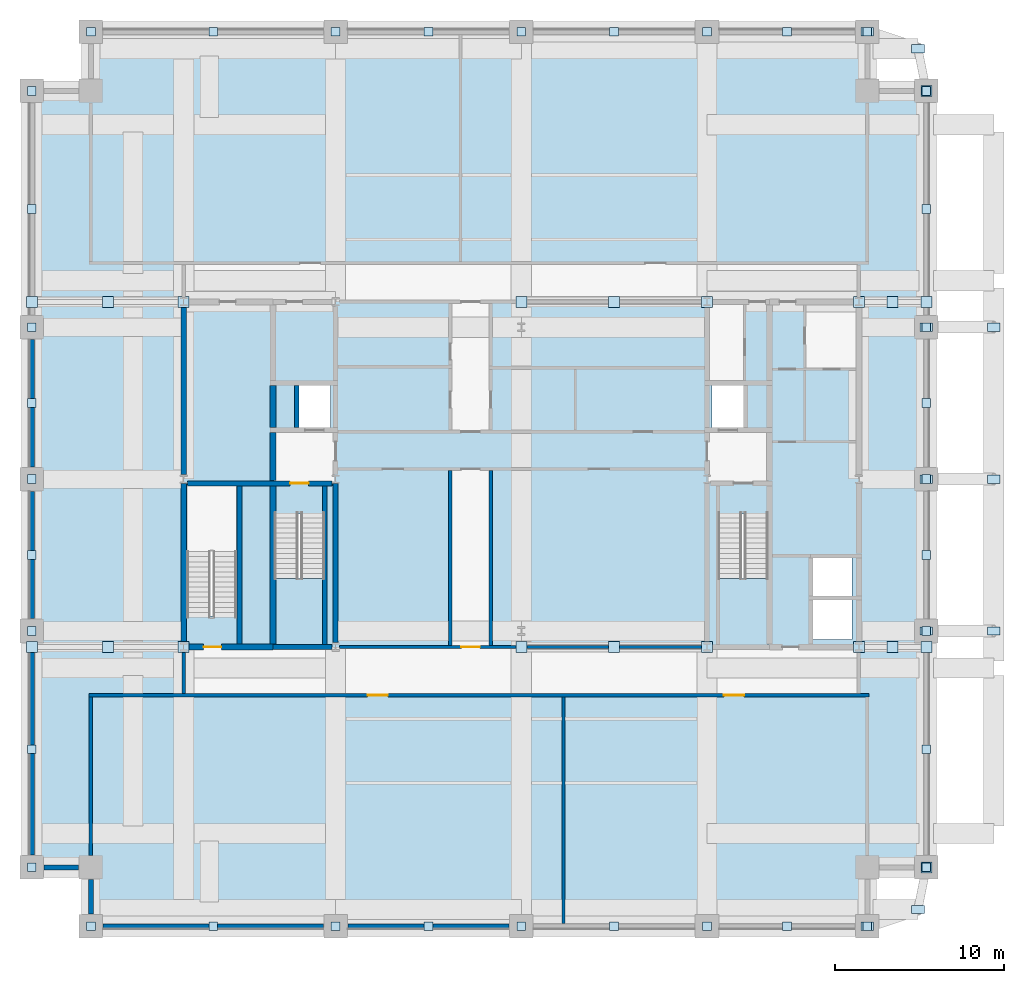
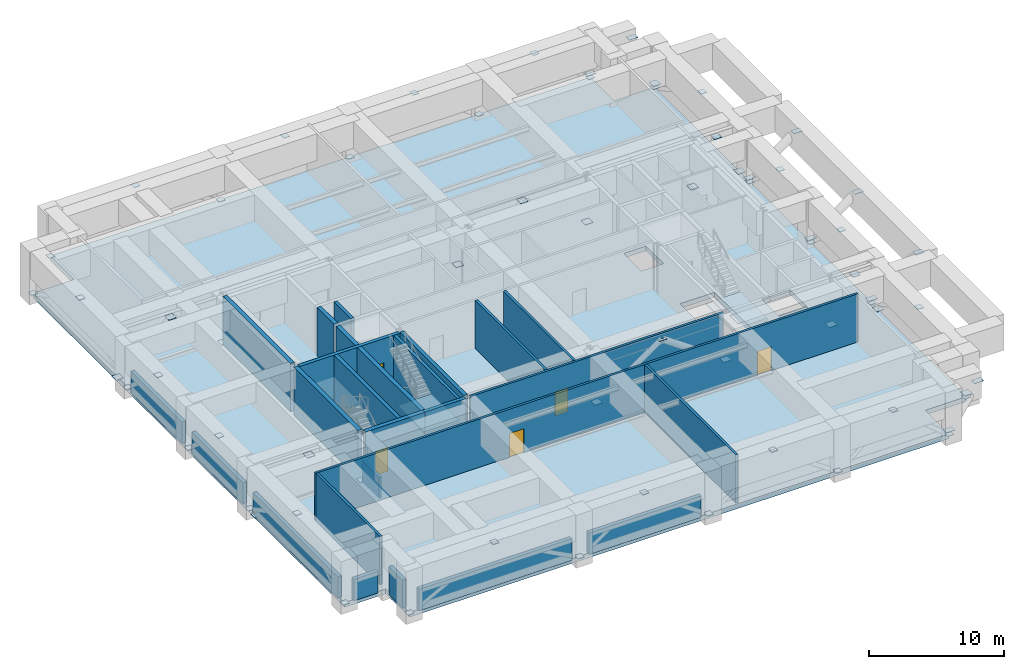
# One storey, part 3 of 10: 66 plates, 26 walls, 5 doors, 3 slabs, 5 openings, 2 elements without a shape of their own.
"""IFC4 building model written with IfcOpenShell, lengths in metres."""

import ifcopenshell
import ifcopenshell.guid

model = None  # the IFC model being written
_history = None  # IfcOwnerHistory: only IFC2X3 demands one
_inside = {}  # id of a spatial element -> (the spatial element, [elements in it])
_under = {}  # id of a project, library or spatial element -> (it, [spatial elements below it])
_declared = {}  # id of a project -> (the project, [libraries it declares])
_typed = {}  # id of a type object -> (the type object, [elements of that type])
_made_of = {}  # id of a material, layer set ... -> (it, [elements and type objects made of it])


def new_model(schema):
    """Start an empty IFC model of exactly this schema.

    Asked for "IFC4X3", IfcOpenShell would pick the latest addendum, in which some entities
    have other attributes; the version numbers below select the first issue.
    IFC2X3 requires an IfcOwnerHistory on every rooted entity: one is made here for all.
    """
    global model, _history
    if schema == "IFC4X3":
        model = ifcopenshell.file(schema_version=(4, 3, 0, 0))
    else:
        model = ifcopenshell.file(schema=schema)
    _inside.clear()
    _under.clear()
    _declared.clear()
    _typed.clear()
    _made_of.clear()
    _history = None
    if model.schema == "IFC2X3":
        org = make("IfcOrganization", Name="unknown")
        user = make(
            "IfcPersonAndOrganization",
            ThePerson=make("IfcPerson", FamilyName="unknown"),
            TheOrganization=org,
        )
        app = make(
            "IfcApplication",
            ApplicationDeveloper=org,
            Version="unknown",
            ApplicationFullName="unknown",
            ApplicationIdentifier="unknown",
        )
        _history = make(
            "IfcOwnerHistory",
            OwningUser=user,
            OwningApplication=app,
            ChangeAction="ADDED",
            CreationDate=0,
        )
    return model


def make(cls, **values):
    """One entity of the class cls with the attributes given. An attribute that is None is left unset."""
    return model.create_entity(
        cls, **{name: value for name, value in values.items() if value is not None}
    )


def rooted(cls, **values):
    """An entity with a GlobalId (a new one), such as an element, a storey or a relation."""
    return make(cls, GlobalId=ifcopenshell.guid.new(), OwnerHistory=_history, **values)


def si_unit(unit_type, name, prefix=None):
    """IfcSIUnit, for example si_unit("LENGTHUNIT", "METRE", prefix="MILLI")."""
    return make("IfcSIUnit", UnitType=unit_type, Prefix=prefix, Name=name)


def assignment(units):
    """IfcUnitAssignment: the units of a project."""
    return None if units is None else make("IfcUnitAssignment", Units=units)


def point(xyz):
    """IfcCartesianPoint."""
    return None if xyz is None else make("IfcCartesianPoint", Coordinates=xyz)


def direction(xyz):
    """IfcDirection."""
    return None if xyz is None else make("IfcDirection", DirectionRatios=xyz)


def frame(location, z_axis=None, x_axis=None):
    """IfcAxis2Placement3D, a coordinate frame: its origin and axes. An axis left out is left unset."""
    return make(
        "IfcAxis2Placement3D",
        Location=point(location),
        Axis=direction(z_axis),
        RefDirection=direction(x_axis),
    )


def frame_2d(location, x_axis=None):
    """IfcAxis2Placement2D, a coordinate frame in the plane: its origin and x axis."""
    return make(
        "IfcAxis2Placement2D", Location=point(location), RefDirection=direction(x_axis)
    )


def origin():
    """The frame at (0, 0, 0) with its axes left unset."""
    return frame((0.0, 0.0, 0.0))


def origin_2d():
    """The frame at (0, 0) in the plane with its x axis left unset."""
    return frame_2d((0.0, 0.0))


def place(relative_to, where):
    """IfcLocalPlacement: puts the frame where relative to a parent placement (None: the world)."""
    return make(
        "IfcLocalPlacement", PlacementRelTo=relative_to, RelativePlacement=where
    )


def context(
    kind, dimensions, precision=None, world=None, true_north=None, identifier=None
):
    """IfcGeometricRepresentationContext, for example the 3D "Model" context."""
    return make(
        "IfcGeometricRepresentationContext",
        ContextIdentifier=identifier,
        ContextType=kind,
        CoordinateSpaceDimension=dimensions,
        Precision=precision,
        WorldCoordinateSystem=world,
        TrueNorth=true_north,
    )


def subcontext(parent, identifier, kind, view, scale=None):
    """IfcGeometricRepresentationSubContext, for example "Body" below "Model"."""
    return make(
        "IfcGeometricRepresentationSubContext",
        ContextIdentifier=identifier,
        ContextType=kind,
        ParentContext=parent,
        TargetScale=scale,
        TargetView=view,
    )


def project(units=None, contexts=None):
    """IfcProject with its units and contexts."""
    return rooted(
        "IfcProject",
        Name="project",
        RepresentationContexts=contexts,
        UnitsInContext=assignment(units),
    )


def spatial(cls, under=None, at=None, **own):
    """A site, building, storey or space (cls), placed at a placement, below another one or the project."""
    s = rooted(cls, ObjectPlacement=at, **own)
    if under is not None:
        _under.setdefault(under.id(), (under, []))[1].append(s)
    return s


def polyline(points):
    """IfcPolyline through the points."""
    return make("IfcPolyline", Points=[point(p) for p in points])


def profile(cls, at=None, kind="AREA", **sizes):
    """A parametric profile (cls). Its sizes go by their IFC names, for example OverallWidth=200.0."""
    return make(cls, ProfileType=kind, Position=at, **sizes)


def rectangle(**sizes):
    """IfcRectangleProfileDef."""
    return profile("IfcRectangleProfileDef", **sizes)


def outline(outer, holes=None, kind="AREA"):
    """IfcArbitraryClosedProfileDef: a profile drawn as a closed curve; with holes, ...WithVoids."""
    if holes is None:
        return make("IfcArbitraryClosedProfileDef", ProfileType=kind, OuterCurve=outer)
    return make(
        "IfcArbitraryProfileDefWithVoids",
        ProfileType=kind,
        OuterCurve=outer,
        InnerCurves=holes,
    )


def extrude(swept, where, along, depth):
    """IfcExtrudedAreaSolid: the profile swept, set in the frame where, extruded along a direction by depth."""
    return make(
        "IfcExtrudedAreaSolid",
        SweptArea=swept,
        Position=where,
        ExtrudedDirection=direction(along),
        Depth=depth,
    )


def shape(context_of_items, identifier, shape_type, items):
    """IfcShapeRepresentation: the items that make up one representation, for example the "Body"."""
    return make(
        "IfcShapeRepresentation",
        ContextOfItems=context_of_items,
        RepresentationIdentifier=identifier,
        RepresentationType=shape_type,
        Items=items,
    )


def material(Name=None, Category=None):
    """IfcMaterial."""
    return make("IfcMaterial", Name=Name, Category=Category)


def layer(
    of_material, thickness, ventilated=None, Name=None, Category=None, Priority=None
):
    """IfcMaterialLayer: one layer of a wall or slab, of a material (None: an air gap)."""
    return make(
        "IfcMaterialLayer",
        Material=of_material,
        LayerThickness=thickness,
        IsVentilated=ventilated,
        Name=Name,
        Category=Category,
        Priority=Priority,
    )


def layer_set(layers, Name=None):
    """IfcMaterialLayerSet."""
    return make("IfcMaterialLayerSet", MaterialLayers=layers, LayerSetName=Name)


def made_of(thing, what):
    """Note that an element or type object is made of a material, layer set ...; save() writes the relation."""
    if what is not None:
        _made_of.setdefault(what.id(), (what, []))[1].append(thing)
    return thing


def type_object(cls, material=None, **own):
    """A type object (cls), such as IfcWallType, which elements share."""
    return made_of(rooted(cls, **own), material)


def element(
    cls,
    number,
    at=None,
    inside=None,
    cuts=None,
    type_object=None,
    material=None,
    context=None,
    identifier="Body",
    shape_type=None,
    held_by="IfcProductDefinitionShape",
    body=None,
    shapes=None,
    **own,
):
    """One element of the class cls, such as IfcWall. Its Tag is "e" and its number.

    at: its placement. inside: the storey or other place that contains it. cuts: it is an
    opening in that element (IfcRelVoidsElement). A single representation is given by context,
    identifier, shape_type and body (its items); several are given by shapes. held_by: the class
    of the entity that holds the representations. save() writes the other relations.
    """
    e = rooted(cls, Tag="e%d" % number, ObjectPlacement=at, **own)
    if body is not None:
        shapes = [shape(context, identifier, shape_type, body)]
    if shapes is not None:
        e.Representation = make(held_by, Representations=shapes)
    if inside is not None:
        _inside.setdefault(inside.id(), (inside, []))[1].append(e)
    if cuts is not None:
        rooted(
            "IfcRelVoidsElement", RelatingBuildingElement=cuts, RelatedOpeningElement=e
        )
    if type_object is not None:
        _typed.setdefault(type_object.id(), (type_object, []))[1].append(e)
    return made_of(e, material)


def fill(opening, filler):
    """IfcRelFillsElement: the door or window that sits in an opening."""
    return rooted(
        "IfcRelFillsElement",
        RelatingOpeningElement=opening,
        RelatedBuildingElement=filler,
    )


def aggregate(whole, parts):
    """IfcRelAggregates: a whole, such as a stair, and the parts it consists of."""
    return rooted("IfcRelAggregates", RelatingObject=whole, RelatedObjects=parts)


def save(model, path):
    """Write the relations noted so far, then the file.

    IfcRelAggregates (storeys below a building ...), IfcRelContainedInSpatialStructure (elements
    in a storey), IfcRelDefinesByType, IfcRelAssociatesMaterial and IfcRelDeclares: one each for
    every whole, place, type object, material and project.
    """
    for whole, parts in _under.values():
        aggregate(whole, parts)
    for where, things in _inside.values():
        rooted(
            "IfcRelContainedInSpatialStructure",
            RelatedElements=things,
            RelatingStructure=where,
        )
    for kind, things in _typed.values():
        rooted("IfcRelDefinesByType", RelatedObjects=things, RelatingType=kind)
    for what, things in _made_of.values():
        rooted("IfcRelAssociatesMaterial", RelatedObjects=things, RelatingMaterial=what)
    for by, libraries in _declared.values():
        rooted("IfcRelDeclares", RelatingContext=by, RelatedDefinitions=libraries)
    model.write(path)


model = new_model("IFC4")

# Units and contexts
model_context = context("Model", 3, precision=1e-05, world=origin(), true_north=direction((0.0, 1.0)))
body_context = subcontext(model_context, "Body", "Model", "MODEL_VIEW")
ifc_project = project(units=[si_unit("LENGTHUNIT", "METRE"), si_unit("AREAUNIT", "SQUARE_METRE"), si_unit("VOLUMEUNIT", "CUBIC_METRE"), si_unit("PLANEANGLEUNIT", "RADIAN"), si_unit("MASSUNIT", "GRAM", prefix="KILO")], contexts=[model_context])

# Site, building, storey
site_placement = place(None, origin())
site = spatial("IfcSite", under=ifc_project, at=site_placement, CompositionType="ELEMENT")
building_placement = place(site_placement, origin())
building = spatial("IfcBuilding", under=site, at=building_placement, Name="Zulmaris Gate Convention Tower", CompositionType="ELEMENT")
storey_placement = place(building_placement, frame((0.0, 0.0, 82.179931640625)))
storey = spatial("IfcBuildingStorey", under=building, at=storey_placement, Name="L20", CompositionType="ELEMENT", Elevation=82.179931640625)

# Plates
ifc_material_1 = material(Name="Steel S460", Category="steel")
ifc_layer_1 = layer(ifc_material_1, 0.030029296875, Name="Steel S460")
ifc_layer_set_1 = layer_set([ifc_layer_1], Name="Steel S460")
plate_type_1 = type_object("IfcPlateType", Name="NP-CAP-520", PredefinedType="USERDEFINED", material=ifc_layer_set_1)
for number, where, z_axis, x_axis, name in (
    (1, (-25.5, -26.5, -0.01513671875), (0.0, 0.0, 1.0), (1.0, 0.0, 0.0), "L20 Steel Node Plate BELT-L20-01-1-FP"),
    (2, (-18.25, -26.5, 3.81982421875), (0.0, 0.0, 1.0), (1.0, 0.0, 0.0), "L20 Steel Node Plate BELT-L20-01-1-FPB"),
    (3, (-11.0, -26.5, -0.01513671875), (0.0, 0.0, 1.0), (1.0, 0.0, 0.0), "L20 Steel Node Plate BELT-L20-01-2-FPB"),
    (4, (-5.5, -26.5, 3.81982421875), (0.0, 0.0, 1.0), (1.0, 0.0, 0.0), "L20 Steel Node Plate BELT-L20-02-1-FPB"),
    (5, (0.0, -26.5, -0.01513671875), (0.0, 0.0, 1.0), (1.0, 0.0, 0.0), "L20 Steel Node Plate BELT-L20-02-2-FPB"),
    (6, (5.5, -26.5, 3.81982421875), (0.0, 0.0, 1.0), (1.0, 0.0, 0.0), "L20 Steel Node Plate BELT-L20-03-1-FPB"),
    (7, (11.0, -26.5, -0.01513671875), (0.0, 0.0, 1.0), (1.0, 0.0, 0.0), "L20 Steel Node Plate BELT-L20-03-2-FPB"),
    (8, (15.75, -26.5, 3.81982421875), (0.0, 0.0, 1.0), (1.0, 0.0, 0.0), "L20 Steel Node Plate BELT-L20-04-1-FPB"),
    (9, (20.5, -26.5, -0.01513671875), (0.0, 0.0, 1.0), (1.0, 0.0, 0.0), "L20 Steel Node Plate BELT-L20-04-2-FPB"),
    (10, (-25.5, 26.5, -0.01513671875), (0.0, 0.0, 1.0), (1.0, 0.0, 0.0), "L20 Steel Node Plate BELT-L20-05-1-FP"),
    (11, (-18.25, 26.5, 3.81982421875), (0.0, 0.0, 1.0), (1.0, 0.0, 0.0), "L20 Steel Node Plate BELT-L20-05-1-FPB"),
    (12, (-11.0, 26.5, -0.01513671875), (0.0, 0.0, 1.0), (1.0, 0.0, 0.0), "L20 Steel Node Plate BELT-L20-05-2-FPB"),
    (13, (-5.5, 26.5, 3.81982421875), (0.0, 0.0, 1.0), (1.0, 0.0, 0.0), "L20 Steel Node Plate BELT-L20-06-1-FPB"),
    (14, (0.0, 26.5, -0.01513671875), (0.0, 0.0, 1.0), (1.0, 0.0, 0.0), "L20 Steel Node Plate BELT-L20-06-2-FPB"),
    (15, (5.5, 26.5, 3.81982421875), (0.0, 0.0, 1.0), (1.0, 0.0, 0.0), "L20 Steel Node Plate BELT-L20-07-1-FPB"),
    (16, (11.0, 26.5, -0.01513671875), (0.0, 0.0, 1.0), (1.0, 0.0, 0.0), "L20 Steel Node Plate BELT-L20-07-2-FPB"),
    (17, (15.75, 26.5, 3.81982421875), (0.0, 0.0, 1.0), (1.0, 0.0, 0.0), "L20 Steel Node Plate BELT-L20-08-1-FPB"),
    (18, (20.5, 26.5, -0.01513671875), (0.0, 0.0, 1.0), (1.0, 0.0, 0.0), "L20 Steel Node Plate BELT-L20-08-2-FPB"),
    (19, (-29.0, -23.0, -0.01513671875), (0.0, 0.0, 1.0), (1.0, 0.0, 0.0), "L20 Steel Node Plate BELT-L20-09-1-FP"),
    (20, (-29.0, -16.0, 3.81982421875), (0.0, 0.0, 1.0), (1.0, 0.0, 0.0), "L20 Steel Node Plate BELT-L20-09-1-FPB"),
    (21, (-29.0, -9.0, -0.01513671875), (0.0, 0.0, 1.0), (1.0, 0.0, 0.0), "L20 Steel Node Plate BELT-L20-09-2-FPB"),
    (22, (-29.0, -4.5, 3.81982421875), (0.0, 0.0, 1.0), (1.0, 0.0, 0.0), "L20 Steel Node Plate BELT-L20-10-1-FPB"),
    (23, (-29.0, 0.0, -0.01513671875), (0.0, 0.0, 1.0), (1.0, 0.0, 0.0), "L20 Steel Node Plate BELT-L20-10-2-FPB"),
    (24, (-29.0, 4.5, 3.81982421875), (0.0, 0.0, 1.0), (1.0, 0.0, 0.0), "L20 Steel Node Plate BELT-L20-11-1-FPB"),
    (25, (-29.0, 9.0, -0.01513671875), (0.0, 0.0, 1.0), (1.0, 0.0, 0.0), "L20 Steel Node Plate BELT-L20-11-2-FPB"),
    (26, (-29.0, 16.0, 3.81982421875), (0.0, 0.0, 1.0), (1.0, 0.0, 0.0), "L20 Steel Node Plate BELT-L20-12-1-FPB"),
    (27, (-29.0, 23.0, -0.01513671875), (0.0, 0.0, 1.0), (1.0, 0.0, 0.0), "L20 Steel Node Plate BELT-L20-12-2-FPB"),
    (28, (24.0, -23.0, -0.01513671875), (0.0, 0.0, 1.0), (1.0, 0.0, 0.0), "L20 Steel Node Plate BELT-L20-13-1-FP"),
    (29, (24.0, -16.0, 3.81982421875), (0.0, 0.0, 1.0), (1.0, 0.0, 0.0), "L20 Steel Node Plate BELT-L20-13-1-FPB"),
    (30, (24.0, -9.0, -0.01513671875), (0.0, 0.0, 1.0), (1.0, 0.0, 0.0), "L20 Steel Node Plate BELT-L20-13-2-FPB"),
    (31, (24.0, -4.5, 3.81982421875), (0.0, 0.0, 1.0), (1.0, 0.0, 0.0), "L20 Steel Node Plate BELT-L20-14-1-FPB"),
    (32, (24.0, 0.0, -0.01513671875), (0.0, 0.0, 1.0), (1.0, 0.0, 0.0), "L20 Steel Node Plate BELT-L20-14-2-FPB"),
    (33, (24.0, 4.5, 3.81982421875), (0.0, 0.0, 1.0), (1.0, 0.0, 0.0), "L20 Steel Node Plate BELT-L20-15-1-FPB"),
    (34, (24.0, 9.0, -0.01513671875), (0.0, 0.0, 1.0), (1.0, 0.0, 0.0), "L20 Steel Node Plate BELT-L20-15-2-FPB"),
    (35, (24.0, 16.0, 3.81982421875), (0.0, 0.0, 1.0), (1.0, 0.0, 0.0), "L20 Steel Node Plate BELT-L20-16-1-FPB"),
    (36, (24.0, 23.0, -0.01513671875), (0.0, 0.0, 1.0), (1.0, 0.0, 0.0), "L20 Steel Node Plate BELT-L20-16-2-FPB"),
):
    element("IfcPlate", number, at=place(storey_placement, frame(where, z_axis=z_axis, x_axis=x_axis)), inside=storey, type_object=plate_type_1, Name=name, ObjectType="FLANGE PLATE", PredefinedType="USERDEFINED", context=body_context, shape_type="SweptSolid", body=[
        extrude(rectangle(XDim=0.52001953125, YDim=0.52001953125, at=origin_2d()), origin(), (0.0, 0.0, 1.0), 0.030029296875),
    ])
ifc_layer_2 = layer(ifc_material_1, 0.034912109375, Name="Steel S460")
ifc_layer_set_2 = layer_set([ifc_layer_2], Name="Steel S460")
plate_type_2 = type_object("IfcPlateType", Name="NP-GUS-650", PredefinedType="USERDEFINED", material=ifc_layer_set_2)
for number, where, z_axis, x_axis, name in (
    (37, (24.0, -23.0, 0.33251953125), (0.0, 0.0, 1.0), (1.0, 0.0, 0.0), "L20 Steel Node Plate RKR2-L20-EC--25.5-P0"),
    (38, (24.0, 23.0, 0.33251953125), (0.0, 0.0, 1.0), (1.0, 0.0, 0.0), "L20 Steel Node Plate RKR2-L20-EC-+25.5-P0"),
    (39, (-29.0, -9.949951171875, -0.017578125), (0.0, 0.0, 1.0), (1.0, 0.0, 0.0), "L20 Steel Node Plate OT-L20-DG--9.9--29-A-GP0"),
    (40, (-24.5, -9.949951171875, 3.8173828125), (0.0, 0.0, 1.0), (1.0, 0.0, 0.0), "L20 Steel Node Plate OT-L20-DG--9.9--29-A-GP1"),
    (41, (-20.0, -9.949951171875, -0.017578125), (0.0, 0.0, 1.0), (1.0, 0.0, 0.0), "L20 Steel Node Plate OT-L20-DG--9.9--29-B-GP1"),
    (42, (20.0, -9.949951171875, -0.017578125), (0.0, 0.0, 1.0), (1.0, 0.0, 0.0), "L20 Steel Node Plate OT-L20-DG--9.9-+20-A-GP0"),
    (43, (22.0, -9.949951171875, 3.8173828125), (0.0, 0.0, 1.0), (1.0, 0.0, 0.0), "L20 Steel Node Plate OT-L20-DG--9.9-+20-A-GP1"),
    (44, (24.0, -9.949951171875, -0.017578125), (0.0, 0.0, 1.0), (1.0, 0.0, 0.0), "L20 Steel Node Plate OT-L20-DG--9.9-+20-B-GP1"),
    (45, (0.0, -9.949951171875, -0.017578125), (0.0, 0.0, 1.0), (1.0, 0.0, 0.0), "L20 Steel Node Plate OT-L20-DG--9.9-+0-A-GP0"),
    (46, (5.5, -9.949951171875, 3.8173828125), (0.0, 0.0, 1.0), (1.0, 0.0, 0.0), "L20 Steel Node Plate OT-L20-DG--9.9-+0-A-GP1"),
    (47, (11.0, -9.949951171875, -0.017578125), (0.0, 0.0, 1.0), (1.0, 0.0, 0.0), "L20 Steel Node Plate OT-L20-DG--9.9-+0-B-GP1"),
    (48, (-29.0, 10.5, -0.017578125), (0.0, 0.0, 1.0), (1.0, 0.0, 0.0), "L20 Steel Node Plate OT-L20-DG-+10.5--29-A-GP0"),
    (49, (-24.5, 10.5, 3.8173828125), (0.0, 0.0, 1.0), (1.0, 0.0, 0.0), "L20 Steel Node Plate OT-L20-DG-+10.5--29-A-GP1"),
    (50, (-20.0, 10.5, -0.017578125), (0.0, 0.0, 1.0), (1.0, 0.0, 0.0), "L20 Steel Node Plate OT-L20-DG-+10.5--29-B-GP1"),
    (51, (20.0, 10.5, -0.017578125), (0.0, 0.0, 1.0), (1.0, 0.0, 0.0), "L20 Steel Node Plate OT-L20-DG-+10.5-+20-A-GP0"),
    (52, (22.0, 10.5, 3.8173828125), (0.0, 0.0, 1.0), (1.0, 0.0, 0.0), "L20 Steel Node Plate OT-L20-DG-+10.5-+20-A-GP1"),
    (53, (24.0, 10.5, -0.017578125), (0.0, 0.0, 1.0), (1.0, 0.0, 0.0), "L20 Steel Node Plate OT-L20-DG-+10.5-+20-B-GP1"),
    (54, (0.0, 10.5, -0.017578125), (0.0, 0.0, 1.0), (1.0, 0.0, 0.0), "L20 Steel Node Plate OT-L20-DG-+10.5-+0-A-GP0"),
    (55, (5.5, 10.5, 3.8173828125), (0.0, 0.0, 1.0), (1.0, 0.0, 0.0), "L20 Steel Node Plate OT-L20-DG-+10.5-+0-A-GP1"),
    (56, (11.0, 10.5, -0.017578125), (0.0, 0.0, 1.0), (1.0, 0.0, 0.0), "L20 Steel Node Plate OT-L20-DG-+10.5-+0-B-GP1"),
):
    element("IfcPlate", number, at=place(storey_placement, frame(where, z_axis=z_axis, x_axis=x_axis)), inside=storey, type_object=plate_type_2, Name=name, ObjectType="GUSSET PLATE", PredefinedType="USERDEFINED", context=body_context, shape_type="SweptSolid", body=[
        extrude(rectangle(XDim=0.64990234375, YDim=0.64990234375, at=origin_2d()), origin(), (0.0, 0.0, 1.0), 0.034912109375),
    ])
ifc_layer_3 = layer(ifc_material_1, 0.034912109375, Name="Steel S460")
ifc_layer_set_3 = layer_set([ifc_layer_3], Name="Steel S460")
plate_type_3 = type_object("IfcPlateType", Name="NP-GUS-750", PredefinedType="USERDEFINED", material=ifc_layer_set_3)
for number, where, z_axis, x_axis, name in (
    (57, (24.0, -9.0, 0.33251953125), (0.0, 0.0, 1.0), (1.0, 0.0, 0.0), "L20 Steel Node Plate RKR-L20-E--9.0-P0"),
    (58, (28.0, -9.0, 3.11767578125), (0.0, 0.0, 1.0), (1.0, 0.0, 0.0), "L20 Steel Node Plate RKR-L20-E--9.0-P1"),
    (59, (24.0, 0.0, 0.33251953125), (0.0, 0.0, 1.0), (1.0, 0.0, 0.0), "L20 Steel Node Plate RKR-L20-E-+0.0-P0"),
    (60, (28.0, 0.0, 3.11767578125), (0.0, 0.0, 1.0), (1.0, 0.0, 0.0), "L20 Steel Node Plate RKR-L20-E-+0.0-P1"),
    (61, (24.0, 9.0, 0.33251953125), (0.0, 0.0, 1.0), (1.0, 0.0, 0.0), "L20 Steel Node Plate RKR-L20-E-+9.0-P0"),
    (62, (28.0, 9.0, 3.11767578125), (0.0, 0.0, 1.0), (1.0, 0.0, 0.0), "L20 Steel Node Plate RKR-L20-E-+9.0-P1"),
    (63, (20.5, -26.5, 0.33251953125), (0.0, 0.0, 1.0), (1.0, 0.0, 0.0), "L20 Steel Node Plate RKR-L20-EC--25.5-P0"),
    (64, (23.5, -25.5, 3.11767578125), (0.0, 0.0, 1.0), (1.0, 0.0, 0.0), "L20 Steel Node Plate RKR-L20-EC--25.5-P1"),
    (65, (20.5, 26.5, 0.33251953125), (0.0, 0.0, 1.0), (1.0, 0.0, 0.0), "L20 Steel Node Plate RKR-L20-EC-+25.5-P0"),
    (66, (23.5, 25.5, 3.11767578125), (0.0, 0.0, 1.0), (1.0, 0.0, 0.0), "L20 Steel Node Plate RKR-L20-EC-+25.5-P1"),
):
    element("IfcPlate", number, at=place(storey_placement, frame(where, z_axis=z_axis, x_axis=x_axis)), inside=storey, type_object=plate_type_3, Name=name, ObjectType="GUSSET PLATE", PredefinedType="USERDEFINED", context=body_context, shape_type="SweptSolid", body=[
        extrude(rectangle(XDim=0.75, YDim=0.5, at=origin_2d()), origin(), (0.0, 0.0, 1.0), 0.034912109375),
    ])

# Slab
ifc_material_2 = material(Name="Concrete C60/75", Category="concrete")
ifc_layer_4 = layer(ifc_material_2, 0.425048828125, Name="Concrete C60/75")
ifc_layer_set_4 = layer_set([ifc_layer_4], Name="Concrete C60/75")
slab_type_1 = type_object("IfcSlabType", Name="SL-FLR-425", PredefinedType="FLOOR", material=ifc_layer_set_4)
slab_1_placement = place(storey_placement, frame((0.0, 0.0, -0.425048828125)))
element("IfcSlab", 67, at=slab_1_placement, inside=storey, type_object=slab_type_1, Name="L20 Shifted Notched-Square Structural Floor Slab", PredefinedType="FLOOR", context=body_context, shape_type="SweptSolid", body=[
    extrude(outline(polyline([(-25.5, -26.5), (20.5, -26.5), (20.5, -23.0), (24.0, -23.0), (24.0, 23.0), (20.5, 23.0), (20.5, 26.5), (-25.5, 26.5), (-25.5, 23.0), (-29.0, 23.0), (-29.0, -23.0), (-25.5, -23.0), (-25.5, -26.5)]), holes=[polyline([(-14.6201171875, -2.080078125), (-14.6201171875, -9.85009765625), (-11.659912109375, -9.85009765625), (-11.659912109375, -2.080078125), (-14.6201171875, -2.080078125)]), polyline([(11.659912109375, -2.080078125), (11.659912109375, -9.85009765625), (14.6201171875, -9.85009765625), (14.6201171875, -2.080078125), (11.659912109375, -2.080078125)]), polyline([(-16.860107421875, -8.1201171875), (-16.860107421875, -0.35009765625), (-19.820068359375, -0.35009765625), (-19.820068359375, -8.1201171875), (-16.860107421875, -8.1201171875)]), polyline([(-13.199951171875, 3.0), (-11.300048828125, 3.0), (-11.300048828125, 5.60009765625), (-13.199951171875, 5.60009765625), (-13.199951171875, 3.0)]), polyline([(11.300048828125, 3.0), (13.199951171875, 3.0), (13.199951171875, 5.60009765625), (11.300048828125, 5.60009765625), (11.300048828125, 3.0)]), polyline([(17.199951171875, -9.5), (19.60009765625, -9.5), (19.60009765625, -7.10009765625), (17.199951171875, -7.10009765625), (17.199951171875, -9.5)]), polyline([(17.199951171875, -7.0), (19.60009765625, -7.0), (19.60009765625, -4.60009765625), (17.199951171875, -4.60009765625), (17.199951171875, -7.0)])]), origin(), (0.0, 0.0, 1.0), 0.425048828125),
])

# Stair, slab
ifc_material_3 = material(Name="Concrete C45/55", Category="concrete")
stair_type = type_object("IfcStairType", Name="ST-CORE-DOGLEG", PredefinedType="HALF_TURN_STAIR", material=ifc_material_3)
stair_1_placement = place(storey_placement, origin())
stair_1 = element("IfcStair", 68, at=stair_1_placement, inside=storey, type_object=stair_type, Name="L20 Core Exit Stair ST-1", PredefinedType="HALF_TURN_STAIR")
ifc_layer_5 = layer(ifc_material_3, 0.199951171875, Name="Concrete C45/55")
ifc_layer_set_5 = layer_set([ifc_layer_5], Name="Concrete C45/55")
slab_type_2 = type_object("IfcSlabType", Name="SL-LND-200", PredefinedType="LANDING", material=ifc_layer_set_5)
slab_2_placement = place(storey_placement, frame((0.0, 0.0, 2.179931640625)))
slab_2 = element("IfcSlab", 69, at=slab_2_placement, type_object=slab_type_2, Name="ST-1 landing 1", PredefinedType="LANDING", context=body_context, shape_type="SweptSolid", body=[
    extrude(outline(polyline([(-14.6201171875, -5.89990234375), (-14.6201171875, -9.85009765625), (-11.659912109375, -9.85009765625), (-11.659912109375, -5.89990234375), (-14.6201171875, -5.89990234375)])), origin(), (0.0, 0.0, 1.0), 0.199951171875),
])
aggregate(stair_1, [slab_2])

stair_2_placement = place(storey_placement, origin())
stair_2 = element("IfcStair", 70, at=stair_2_placement, inside=storey, type_object=stair_type, Name="L20 Core Exit Stair ST-2", PredefinedType="HALF_TURN_STAIR")
slab_3_placement = place(storey_placement, frame((0.0, 0.0, 2.179931640625)))
slab_3 = element("IfcSlab", 71, at=slab_3_placement, type_object=slab_type_2, Name="ST-2 landing 1", PredefinedType="LANDING", context=body_context, shape_type="SweptSolid", body=[
    extrude(outline(polyline([(11.659912109375, -5.89990234375), (11.659912109375, -9.85009765625), (14.6201171875, -9.85009765625), (14.6201171875, -5.89990234375), (11.659912109375, -5.89990234375)])), origin(), (0.0, 0.0, 1.0), 0.199951171875),
])
aggregate(stair_2, [slab_3])

# Walls
ifc_material_4 = material(Name="Concrete C50/60", Category="concrete")
ifc_layer_6 = layer(ifc_material_4, 0.25, Name="Concrete C50/60")
ifc_layer_set_6 = layer_set([ifc_layer_6], Name="Concrete C50/60")
wall_type_1 = type_object("IfcWallType", Name="CORE-250", PredefinedType="SOLIDWALL", material=ifc_layer_set_6)
wall_1_placement = place(storey_placement, frame((-13.300048828125, 3.052001953125, 0.0), z_axis=(0.0, 0.0, 1.0), x_axis=(0.0, 1.0, 0.0)))
element("IfcWall", 72, at=wall_1_placement, inside=storey, type_object=wall_type_1, Name="WL-L20-035", PredefinedType="SOLIDWALL", context=body_context, shape_type="SweptSolid", body=[
    extrude(rectangle(XDim=2.49609375, YDim=0.25, at=frame_2d((1.248046875, 0.0))), origin(), (0.0, 0.0, 1.0), 4.3349609375),
])
wall_2_placement = place(storey_placement, frame((-11.64990234375, -9.798095703125, 0.0), z_axis=(0.0, 0.0, 1.0), x_axis=(0.0, 1.0, 0.0)))
element("IfcWall", 73, at=wall_2_placement, inside=storey, type_object=wall_type_1, Name="WL-L20-036", PredefinedType="SOLIDWALL", context=body_context, shape_type="SweptSolid", body=[
    extrude(rectangle(XDim=9.39599609375, YDim=0.25, at=frame_2d((4.697998046875, 0.0))), origin(), (0.0, 0.0, 1.0), 4.3349609375),
])
ifc_layer_7 = layer(ifc_material_4, 0.300048828125, Name="Concrete C50/60")
ifc_layer_set_7 = layer_set([ifc_layer_7], Name="Concrete C50/60")
wall_type_2 = type_object("IfcWallType", Name="CORE-300", PredefinedType="SHEAR", material=ifc_layer_set_7)
wall_3_placement = place(storey_placement, frame((-14.699951171875, -9.949951171875, 0.0), z_axis=(0.0, 0.0, 1.0), x_axis=(1.0, 0.0, 0.0)))
element("IfcWall", 74, at=wall_3_placement, inside=storey, type_object=wall_type_2, Name="WL-L20-002", PredefinedType="SHEAR", context=body_context, shape_type="SweptSolid", body=[
    extrude(rectangle(XDim=3.4775390625, YDim=0.300048828125, at=frame_2d((1.73876953125, 0.0))), origin(), (0.0, 0.0, 1.0), 4.3349609375),
])

# Wall, opening, door
wall_4_placement = place(storey_placement, frame((-19.777587890625, -0.25, 0.0), z_axis=(0.0, 0.0, 1.0), x_axis=(1.0, 0.0, 0.0)))
wall_4 = element("IfcWall", 75, at=wall_4_placement, inside=storey, type_object=wall_type_2, Name="WL-L20-007", PredefinedType="SHEAR", context=body_context, shape_type="SweptSolid", body=[
    extrude(rectangle(XDim=8.55517578125, YDim=0.300048828125, at=frame_2d((4.277587890625, 0.0))), origin(), (0.0, 0.0, 1.0), 4.3349609375),
])
opening_1_placement = place(wall_4_placement, frame((6.077392578125, 0.0, 0.0)))
opening_1 = element("IfcOpeningElement", 76, at=opening_1_placement, cuts=wall_4, Name="Opening D-08", PredefinedType="OPENING", context=body_context, shape_type="SweptSolid", body=[
    extrude(rectangle(XDim=1.10009765625, YDim=2.14990234375, at=frame_2d((0.550048828125, 1.074951171875))), frame((0.0, 0.16015625, 0.0), z_axis=(0.0, -1.0, 0.0), x_axis=(1.0, 0.0, 0.0)), (0.0, 0.0, 1.0), 0.320068359375),
])
ifc_material_5 = material(Name="Fire-Rated Steel", Category="steel")
door_type_1 = type_object("IfcDoorType", Name="DR-1100-FD", OperationType="NOTDEFINED", PredefinedType="DOOR", material=ifc_material_5)
door_1_placement = place(opening_1_placement, origin())
door_1 = element("IfcDoor", 77, at=door_1_placement, inside=storey, type_object=door_type_1, Name="L20 Exit Stair ST-1 Door 01", OperationType="SINGLE_SWING_RIGHT", OverallHeight=2.14990234375, OverallWidth=1.10009765625, PredefinedType="DOOR", context=body_context, shape_type="SweptSolid", body=[
    extrude(rectangle(XDim=1.10009765625, YDim=2.14990234375, at=frame_2d((0.550048828125, 1.074951171875))), frame((0.0, 0.02490234375, 0.0), z_axis=(0.0, -1.0, 0.0), x_axis=(1.0, 0.0, 0.0)), (0.0, 0.0, 1.0), 0.050048828125),
])
fill(opening_1, door_1)

# Walls
wall_5_placement = place(storey_placement, frame((-16.699951171875, -9.77294921875, 0.0), z_axis=(0.0, 0.0, 1.0), x_axis=(0.0, 1.0, 0.0)))
element("IfcWall", 78, at=wall_5_placement, inside=storey, type_object=wall_type_2, Name="WL-L20-030", PredefinedType="SHEAR", context=body_context, shape_type="SweptSolid", body=[
    extrude(rectangle(XDim=9.370849609375, YDim=0.300048828125, at=frame_2d((4.685546875, 0.0))), origin(), (0.0, 0.0, 1.0), 4.3349609375),
])
wall_6_placement = place(storey_placement, frame((-11.0, -9.68896484375, 0.0), z_axis=(0.0, 0.0, 1.0), x_axis=(0.0, 1.0, 0.0)))
element("IfcWall", 79, at=wall_6_placement, inside=storey, type_object=wall_type_2, Name="WL-L20-037", PredefinedType="SHEAR", context=body_context, shape_type="SweptSolid", body=[
    extrude(rectangle(XDim=9.427978515625, YDim=0.300048828125, at=frame_2d((4.7138671875, 0.0))), origin(), (0.0, 0.0, 1.0), 4.3349609375),
])

# Wall, opening, door
ifc_material_6 = material(Name="Concrete C55/67", Category="concrete")
ifc_layer_8 = layer(ifc_material_6, 0.35009765625, Name="Concrete C55/67")
ifc_layer_set_8 = layer_set([ifc_layer_8], Name="Concrete C55/67")
wall_type_3 = type_object("IfcWallType", Name="CORE-350", PredefinedType="SHEAR", material=ifc_layer_set_8)
wall_7_placement = place(storey_placement, frame((-19.777587890625, -9.949951171875, 0.0), z_axis=(0.0, 0.0, 1.0), x_axis=(1.0, 0.0, 0.0)))
wall_7 = element("IfcWall", 80, at=wall_7_placement, inside=storey, type_object=wall_type_3, Name="WL-L20-001", PredefinedType="SHEAR", context=body_context, shape_type="SweptSolid", body=[
    extrude(rectangle(XDim=5.07763671875, YDim=0.35009765625, at=frame_2d((2.538818359375, 0.0))), origin(), (0.0, 0.0, 1.0), 4.3349609375),
])
opening_2_placement = place(wall_7_placement, frame((0.952392578125, 0.0, 0.0)))
opening_2 = element("IfcOpeningElement", 81, at=opening_2_placement, cuts=wall_7, Name="Opening D-09", PredefinedType="OPENING", context=body_context, shape_type="SweptSolid", body=[
    extrude(rectangle(XDim=1.050048828125, YDim=2.14990234375, at=frame_2d((0.52490234375, 1.074951171875))), frame((0.0, 0.18505859375, 0.0), z_axis=(0.0, -1.0, 0.0), x_axis=(1.0, 0.0, 0.0)), (0.0, 0.0, 1.0), 0.3701171875),
])
door_type_2 = type_object("IfcDoorType", Name="DR-1050-FD", OperationType="NOTDEFINED", PredefinedType="DOOR", material=ifc_material_5)
door_2_placement = place(opening_2_placement, origin())
door_2 = element("IfcDoor", 82, at=door_2_placement, inside=storey, type_object=door_type_2, Name="L20 Exit Stair ST-3 Door 10", OperationType="SINGLE_SWING_LEFT", OverallHeight=2.14990234375, OverallWidth=1.050048828125, PredefinedType="DOOR", context=body_context, shape_type="SweptSolid", body=[
    extrude(rectangle(XDim=1.050048828125, YDim=2.14990234375, at=frame_2d((0.52490234375, 1.074951171875))), frame((0.0, 0.02490234375, 0.0), z_axis=(0.0, -1.0, 0.0), x_axis=(1.0, 0.0, 0.0)), (0.0, 0.0, 1.0), 0.050048828125),
])
fill(opening_2, door_2)

# Walls
wall_8_placement = place(storey_placement, frame((-20.0, -9.68896484375, 0.0), z_axis=(0.0, 0.0, 1.0), x_axis=(0.0, 1.0, 0.0)))
element("IfcWall", 83, at=wall_8_placement, inside=storey, type_object=wall_type_3, Name="WL-L20-028", PredefinedType="SHEAR", context=body_context, shape_type="SweptSolid", body=[
    extrude(rectangle(XDim=9.427978515625, YDim=0.35009765625, at=frame_2d((4.7138671875, 0.0))), origin(), (0.0, 0.0, 1.0), 4.3349609375),
])
wall_9_placement = place(storey_placement, frame((-20.0, 0.260986328125, 0.0), z_axis=(0.0, 0.0, 1.0), x_axis=(0.0, 1.0, 0.0)))
element("IfcWall", 84, at=wall_9_placement, inside=storey, type_object=wall_type_3, Name="WL-L20-029", PredefinedType="SHEAR", context=body_context, shape_type="SweptSolid", body=[
    extrude(rectangle(XDim=9.97802734375, YDim=0.35009765625, at=frame_2d((4.989013671875, 0.0))), origin(), (0.0, 0.0, 1.0), 4.3349609375),
])
wall_10_placement = place(storey_placement, frame((-14.699951171875, -9.77294921875, 0.0), z_axis=(0.0, 0.0, 1.0), x_axis=(0.0, 1.0, 0.0)))
element("IfcWall", 85, at=wall_10_placement, inside=storey, type_object=wall_type_3, Name="WL-L20-031", PredefinedType="SHEAR", context=body_context, shape_type="SweptSolid", body=[
    extrude(rectangle(XDim=9.370849609375, YDim=0.35009765625, at=frame_2d((4.685546875, 0.0))), origin(), (0.0, 0.0, 1.0), 4.3349609375),
])
wall_11_placement = place(storey_placement, frame((-14.699951171875, -0.097900390625, 0.0), z_axis=(0.0, 0.0, 1.0), x_axis=(0.0, 1.0, 0.0)))
element("IfcWall", 86, at=wall_11_placement, inside=storey, type_object=wall_type_3, Name="WL-L20-032", PredefinedType="SHEAR", context=body_context, shape_type="SweptSolid", body=[
    extrude(rectangle(XDim=2.845947265625, YDim=0.35009765625, at=frame_2d((1.4228515625, 0.0))), origin(), (0.0, 0.0, 1.0), 4.3349609375),
])
wall_12_placement = place(storey_placement, frame((-14.699951171875, 3.052001953125, 0.0), z_axis=(0.0, 0.0, 1.0), x_axis=(0.0, 1.0, 0.0)))
element("IfcWall", 87, at=wall_12_placement, inside=storey, type_object=wall_type_3, Name="WL-L20-033", PredefinedType="SHEAR", context=body_context, shape_type="SweptSolid", body=[
    extrude(rectangle(XDim=2.49609375, YDim=0.35009765625, at=frame_2d((1.248046875, 0.0))), origin(), (0.0, 0.0, 1.0), 4.3349609375),
])

# Wall, openings, doors
ifc_material_7 = material(Name="Autoclaved Aerated Concrete Block and Plasterboard", Category="concrete")
ifc_layer_9 = layer(ifc_material_7, 0.199951171875, Name="Autoclaved Aerated Concrete Block and Plasterboard")
ifc_layer_set_9 = layer_set([ifc_layer_9], Name="Autoclaved Aerated Concrete Block and Plasterboard")
wall_type_4 = type_object("IfcWallType", Name="PART-200", PredefinedType="PARTITIONING", material=ifc_layer_set_9)
wall_13_placement = place(storey_placement, frame((-25.60009765625, -12.800048828125, 0.0), z_axis=(0.0, 0.0, 1.0), x_axis=(1.0, 0.0, 0.0)))
wall_13 = element("IfcWall", 88, at=wall_13_placement, inside=storey, type_object=wall_type_4, Name="WL-L20-017", PredefinedType="PARTITIONING", context=body_context, shape_type="SweptSolid", body=[
    extrude(rectangle(XDim=46.2001953125, YDim=0.199951171875, at=frame_2d((23.10009765625, 0.0))), origin(), (0.0, 0.0, 1.0), 4.3349609375),
])
opening_3_placement = place(wall_13_placement, frame((16.5, 0.0, 0.0)))
opening_3 = element("IfcOpeningElement", 89, at=opening_3_placement, cuts=wall_13, Name="Opening D-13", PredefinedType="OPENING", context=body_context, shape_type="SweptSolid", body=[
    extrude(rectangle(XDim=1.199951171875, YDim=2.14990234375, at=frame_2d((0.60009765625, 1.074951171875))), frame((0.0, 0.10986328125, 0.0), z_axis=(0.0, -1.0, 0.0), x_axis=(1.0, 0.0, 0.0)), (0.0, 0.0, 1.0), 0.219970703125),
])
opening_4_placement = place(wall_13_placement, frame((37.60009765625, 0.0, 0.0)))
opening_4 = element("IfcOpeningElement", 90, at=opening_4_placement, cuts=wall_13, Name="Opening D-13", PredefinedType="OPENING", context=body_context, shape_type="SweptSolid", body=[
    extrude(rectangle(XDim=1.199951171875, YDim=2.14990234375, at=frame_2d((0.60009765625, 1.074951171875))), frame((0.0, 0.10986328125, 0.0), z_axis=(0.0, -1.0, 0.0), x_axis=(1.0, 0.0, 0.0)), (0.0, 0.0, 1.0), 0.219970703125),
])
door_type_3 = type_object("IfcDoorType", Name="DR-1200-FD", OperationType="NOTDEFINED", PredefinedType="DOOR", material=ifc_material_5)
door_3_placement = place(opening_3_placement, origin())
door_3 = element("IfcDoor", 91, at=door_3_placement, inside=storey, type_object=door_type_3, Name="L20 Break Tank Plant Door 26", OperationType="SINGLE_SWING_LEFT", OverallHeight=2.14990234375, OverallWidth=1.199951171875, PredefinedType="DOOR", context=body_context, shape_type="SweptSolid", body=[
    extrude(rectangle(XDim=1.199951171875, YDim=2.14990234375, at=frame_2d((0.60009765625, 1.074951171875))), frame((0.0, 0.02490234375, 0.0), z_axis=(0.0, -1.0, 0.0), x_axis=(1.0, 0.0, 0.0)), (0.0, 0.0, 1.0), 0.050048828125),
])
fill(opening_3, door_3)
door_4_placement = place(opening_4_placement, origin())
door_4 = element("IfcDoor", 92, at=door_4_placement, inside=storey, type_object=door_type_3, Name="L20 Booster Pump Plant Door 27", OperationType="SINGLE_SWING_RIGHT", OverallHeight=2.14990234375, OverallWidth=1.199951171875, PredefinedType="DOOR", context=body_context, shape_type="SweptSolid", body=[
    extrude(rectangle(XDim=1.199951171875, YDim=2.14990234375, at=frame_2d((0.60009765625, 1.074951171875))), frame((0.0, 0.02490234375, 0.0), z_axis=(0.0, -1.0, 0.0), x_axis=(1.0, 0.0, 0.0)), (0.0, 0.0, 1.0), 0.050048828125),
])
fill(opening_4, door_4)

# Wall, opening, door
wall_14_placement = place(storey_placement, frame((-10.775390625, -9.949951171875, 0.0), z_axis=(0.0, 0.0, 1.0), x_axis=(1.0, 0.0, 0.0)))
wall_14 = element("IfcWall", 93, at=wall_14_placement, inside=storey, type_object=wall_type_4, Name="WL-L20-018", PredefinedType="PARTITIONING", context=body_context, shape_type="SweptSolid", body=[
    extrude(rectangle(XDim=21.55078125, YDim=0.199951171875, at=frame_2d((10.775390625, 0.0))), origin(), (0.0, 0.0, 1.0), 4.3349609375),
])
opening_5_placement = place(wall_14_placement, frame((7.2255859375, 0.0, 0.0)))
opening_5 = element("IfcOpeningElement", 94, at=opening_5_placement, cuts=wall_14, Name="Opening D-08", PredefinedType="OPENING", context=body_context, shape_type="SweptSolid", body=[
    extrude(rectangle(XDim=1.10009765625, YDim=2.14990234375, at=frame_2d((0.550048828125, 1.074951171875))), frame((0.0, 0.10986328125, 0.0), z_axis=(0.0, -1.0, 0.0), x_axis=(1.0, 0.0, 0.0)), (0.0, 0.0, 1.0), 0.219970703125),
])
door_5_placement = place(opening_5_placement, origin())
door_5 = element("IfcDoor", 95, at=door_5_placement, inside=storey, type_object=door_type_1, Name="L20 South Cross Corridor Link Door 21", OperationType="SINGLE_SWING_RIGHT", OverallHeight=2.14990234375, OverallWidth=1.10009765625, PredefinedType="DOOR", context=body_context, shape_type="SweptSolid", body=[
    extrude(rectangle(XDim=1.10009765625, YDim=2.14990234375, at=frame_2d((0.550048828125, 1.074951171875))), frame((0.0, 0.02490234375, 0.0), z_axis=(0.0, -1.0, 0.0), x_axis=(1.0, 0.0, 0.0)), (0.0, 0.0, 1.0), 0.050048828125),
])
fill(opening_5, door_5)

# Walls
wall_15_placement = place(storey_placement, frame((-25.5, -22.2939453125, 0.0), z_axis=(0.0, 0.0, 1.0), x_axis=(0.0, 1.0, 0.0)))
element("IfcWall", 96, at=wall_15_placement, inside=storey, type_object=wall_type_4, Name="WL-L20-056", PredefinedType="PARTITIONING", context=body_context, shape_type="SweptSolid", body=[
    extrude(rectangle(XDim=9.390869140625, YDim=0.199951171875, at=frame_2d((4.6953125, 0.0))), origin(), (0.0, 0.0, 1.0), 4.3349609375),
])
wall_16_placement = place(storey_placement, frame((-20.0, -12.697021484375, 0.0), z_axis=(0.0, 0.0, 1.0), x_axis=(0.0, 1.0, 0.0)))
element("IfcWall", 97, at=wall_16_placement, inside=storey, type_object=wall_type_4, Name="WL-L20-058", PredefinedType="PARTITIONING", context=body_context, shape_type="SweptSolid", body=[
    extrude(rectangle(XDim=2.484130859375, YDim=0.199951171875, at=frame_2d((1.2421875, 0.0))), origin(), (0.0, 0.0, 1.0), 1.927001953125),
])
for number, where, z_axis, x_axis, name in (
    (98, (-4.199951171875, -9.846923828125, 0.0), (0.0, 0.0, 1.0), (0.0, 1.0, 0.0), "WL-L20-060"),
    (99, (-1.800048828125, -9.846923828125, 0.0), (0.0, 0.0, 1.0), (0.0, 1.0, 0.0), "WL-L20-064"),
):
    element("IfcWall", number, at=place(storey_placement, frame(where, z_axis=z_axis, x_axis=x_axis)), inside=storey, type_object=wall_type_4, Name=name, PredefinedType="PARTITIONING", context=body_context, shape_type="SweptSolid", body=[
        extrude(rectangle(XDim=10.343994140625, YDim=0.199951171875, at=frame_2d((5.171875, 0.0))), origin(), (0.0, 0.0, 1.0), 4.3349609375),
    ])
wall_17_placement = place(storey_placement, frame((2.5, -26.3349609375, 0.0), z_axis=(0.0, 0.0, 1.0), x_axis=(0.0, 1.0, 0.0)))
element("IfcWall", 100, at=wall_17_placement, inside=storey, type_object=wall_type_4, Name="WL-L20-067", PredefinedType="PARTITIONING", context=body_context, shape_type="SweptSolid", body=[
    extrude(rectangle(XDim=13.431884765625, YDim=0.199951171875, at=frame_2d((6.7158203125, 0.0))), origin(), (0.0, 0.0, 1.0), 4.3349609375),
])
ifc_material_8 = material(Name="Precast concrete C40/50", Category="concrete")
ifc_layer_10 = layer(ifc_material_8, 0.300048828125, Name="Precast concrete C40/50")
ifc_layer_set_10 = layer_set([ifc_layer_10], Name="Precast concrete C40/50")
wall_type_5 = type_object("IfcWallType", Name="PRECAST-PIER-300", PredefinedType="STANDARD", material=ifc_layer_set_10)
wall_18_placement = place(storey_placement, frame((-28.27001953125, -23.0, 0.0), z_axis=(0.0, 0.0, 1.0), x_axis=(1.0, 0.0, 0.0)))
element("IfcWall", 101, at=wall_18_placement, inside=storey, type_object=wall_type_5, Name="EW-L20-NOTCH-SW1_0", PredefinedType="STANDARD", context=body_context, shape_type="SweptSolid", body=[
    extrude(rectangle(XDim=2.0400390625, YDim=0.300048828125, at=frame_2d((1.02001953125, 0.0))), origin(), (0.0, 0.0, 1.0), 1.927001953125),
])
wall_19_placement = place(storey_placement, frame((-25.5, -23.72998046875, 0.0), z_axis=(0.0, 0.0, 1.0), x_axis=(0.0, -1.0, 0.0)))
element("IfcWall", 102, at=wall_19_placement, inside=storey, type_object=wall_type_5, Name="EW-L20-NOTCH-SW2_0", PredefinedType="STANDARD", context=body_context, shape_type="SweptSolid", body=[
    extrude(rectangle(XDim=2.0400390625, YDim=0.300048828125, at=frame_2d((1.02001953125, 0.0))), origin(), (0.0, 0.0, 1.0), 2.52685546875),
])
wall_20_placement = place(storey_placement, frame((-24.77001953125, -26.5, 0.0), z_axis=(0.0, 0.0, 1.0), x_axis=(1.0, 0.0, 0.0)))
element("IfcWall", 103, at=wall_20_placement, inside=storey, type_object=wall_type_5, Name="EW-L20-S-0_0", PredefinedType="STANDARD", context=body_context, shape_type="SweptSolid", body=[
    extrude(rectangle(XDim=13.0400390625, YDim=0.300048828125, at=frame_2d((6.52001953125, 0.0))), origin(), (0.0, 0.0, 1.0), 1.927001953125),
])
wall_21_placement = place(storey_placement, frame((-10.27001953125, -26.5, 0.0), z_axis=(0.0, 0.0, 1.0), x_axis=(1.0, 0.0, 0.0)))
element("IfcWall", 104, at=wall_21_placement, inside=storey, type_object=wall_type_5, Name="EW-L20-S-1_0", PredefinedType="STANDARD", context=body_context, shape_type="SweptSolid", body=[
    extrude(rectangle(XDim=9.5400390625, YDim=0.300048828125, at=frame_2d((4.77001953125, 0.0))), origin(), (0.0, 0.0, 1.0), 1.927001953125),
])
wall_22_placement = place(storey_placement, frame((-29.0, -9.72998046875, 0.0), z_axis=(0.0, 0.0, 1.0), x_axis=(0.0, -1.0, 0.0)))
element("IfcWall", 105, at=wall_22_placement, inside=storey, type_object=wall_type_5, Name="EW-L20-W-0_0", PredefinedType="STANDARD", context=body_context, shape_type="SweptSolid", body=[
    extrude(rectangle(XDim=12.5400390625, YDim=0.300048828125, at=frame_2d((6.27001953125, 0.0))), origin(), (0.0, 0.0, 1.0), 1.927001953125),
])
for number, where, z_axis, x_axis, name in (
    (106, (-29.0, -0.72998046875, 0.0), (0.0, 0.0, 1.0), (0.0, -1.0, 0.0), "EW-L20-W-1_0"),
    (107, (-29.0, 8.27001953125, 0.0), (0.0, 0.0, 1.0), (0.0, -1.0, 0.0), "EW-L20-W-2_0"),
):
    element("IfcWall", number, at=place(storey_placement, frame(where, z_axis=z_axis, x_axis=x_axis)), inside=storey, type_object=wall_type_5, Name=name, PredefinedType="STANDARD", context=body_context, shape_type="SweptSolid", body=[
        extrude(rectangle(XDim=7.5400390625, YDim=0.300048828125, at=frame_2d((3.77001953125, 0.0))), origin(), (0.0, 0.0, 1.0), 1.927001953125),
    ])

save(model, "model.ifc")
